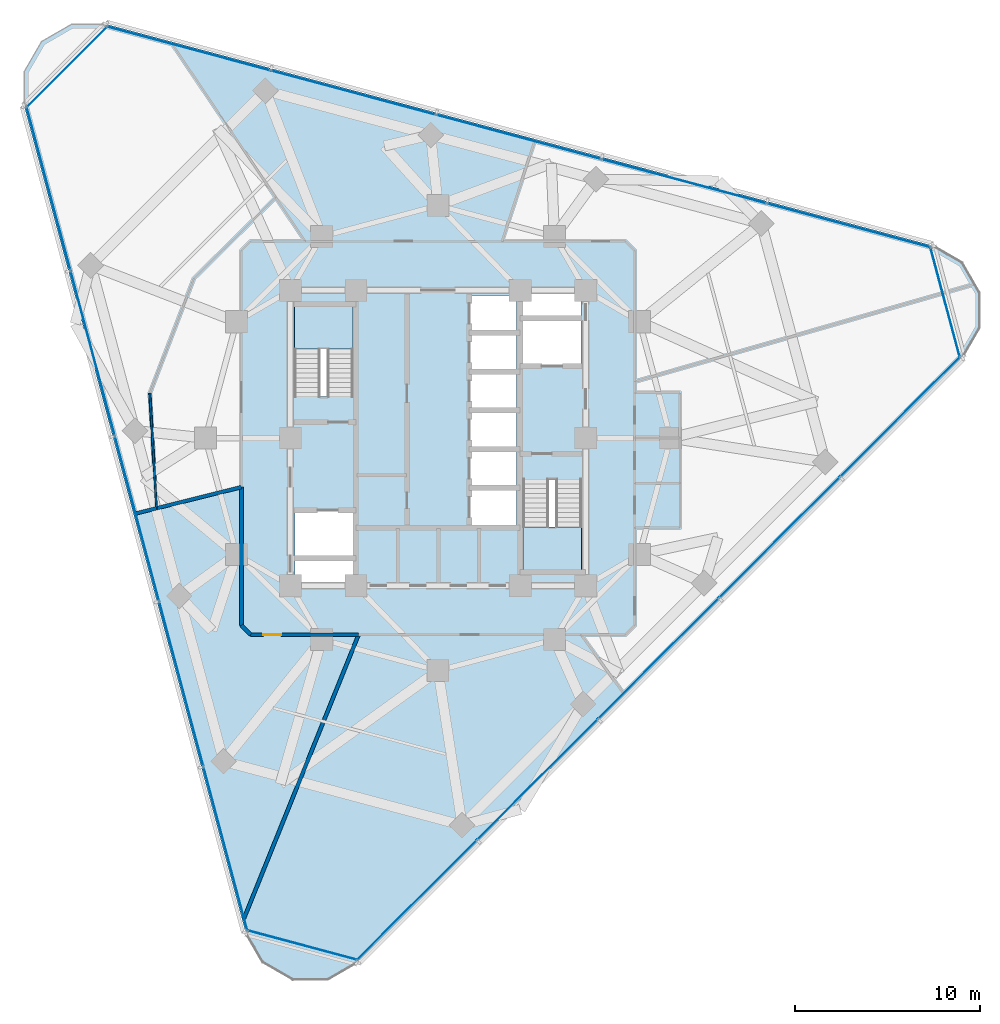
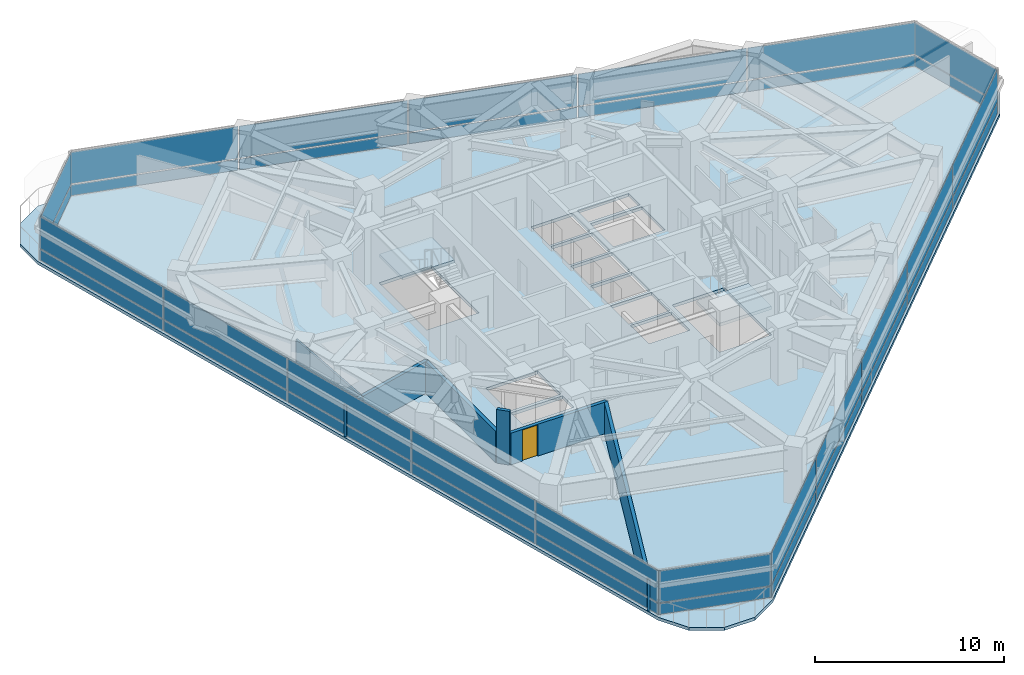
# One storey, part 7 of 15: 36 plates, 7 walls, 3 slabs, 1 door, 1 opening, 8 elements without a shape of their own.
"""IFC4 building model written with IfcOpenShell, lengths in metres."""

from ifc_helpers import new_model, si_unit, direction, frame, frame_2d, origin, origin_2d, place, context, subcontext, project, spatial, polyline, rectangle, outline, extrude, material, layer, layer_set, type_object, element, fill, aggregate, save


model = new_model("IFC4")

# Units and contexts
model_context = context("Model", 3, precision=1e-05, world=origin(), true_north=direction((0.0, 1.0)))
body_context = subcontext(model_context, "Body", "Model", "MODEL_VIEW")
ifc_project = project(units=[si_unit("LENGTHUNIT", "METRE"), si_unit("AREAUNIT", "SQUARE_METRE"), si_unit("VOLUMEUNIT", "CUBIC_METRE"), si_unit("PLANEANGLEUNIT", "RADIAN"), si_unit("MASSUNIT", "GRAM", prefix="KILO")], contexts=[model_context])

# Site, building, storey
site_placement = place(None, origin())
site = spatial("IfcSite", under=ifc_project, at=site_placement, CompositionType="ELEMENT")
building_placement = place(site_placement, origin())
building = spatial("IfcBuilding", under=site, at=building_placement, Name="Terralouvre Media Tower", CompositionType="ELEMENT")
storey_placement = place(building_placement, frame((0.0, 0.0, 210.10009765625)))
storey = spatial("IfcBuildingStorey", under=building, at=storey_placement, Name="L54", CompositionType="ELEMENT", Elevation=210.10009765625)

# Slab
ifc_material_1 = material(Name="Concrete C40/50", Category="concrete")
ifc_layer_1 = layer(ifc_material_1, 0.199951171875, Name="Composite Tower Floor Slab S-TYP200")
ifc_layer_set_1 = layer_set([ifc_layer_1], Name="Concrete C40/50")
slab_type_1 = type_object("IfcSlabType", Name="Composite Tower Floor Slab S-TYP200", PredefinedType="FLOOR", material=ifc_layer_set_1)
slab_1_placement = place(storey_placement, frame((0.0, 0.0, -0.2001953125), z_axis=(0.0, 0.0, 1.0), x_axis=(0.707106781187, 0.707106781187, 0.0)))
element("IfcSlab", 1, at=slab_1_placement, inside=storey, type_object=slab_type_1, Name="L54 Structural Floor Slab", PredefinedType="FLOOR", context=body_context, shape_type="SweptSolid", body=[
    extrude(outline(polyline([(-26.31494140625, -11.572998046875), (-26.800048828125, -13.383056640625), (-26.31494140625, -15.19287109375), (-24.989990234375, -16.51806640625), (-23.179931640625, -17.0029296875), (23.179931640625, -17.0029296875), (24.989990234375, -16.51806640625), (26.31494140625, -15.19287109375), (26.800048828125, -13.383056640625), (26.31494140625, -11.572998046875), (3.135009765625, 28.575927734375), (1.81005859375, 29.90087890625), (0.0, 30.385986328125), (-1.81005859375, 29.90087890625), (-3.135009765625, 28.575927734375), (-26.31494140625, -11.572998046875)]), holes=[polyline([(-7.919677734375, -1.414306640625), (-8.76806640625, -2.2626953125), (-10.99560546875, -0.035400390625), (-10.14697265625, 0.813232421875), (-7.919677734375, -1.414306640625)]), polyline([(-7.778076171875, -1.272705078125), (-10.005615234375, 0.95458984375), (-8.273193359375, 2.68701171875), (-6.045654296875, 0.459716796875), (-7.778076171875, -1.272705078125)]), polyline([(4.122314453125, -1.887939453125), (2.354736328125, -0.1201171875), (3.7265625, 1.25146484375), (5.494140625, -0.51611328125), (4.122314453125, -1.887939453125)]), polyline([(6.979248046875, 0.96875), (5.607421875, -0.403076171875), (3.839599609375, 1.36474609375), (5.21142578125, 2.736572265625), (6.979248046875, 0.96875)]), polyline([(-1.665283203125, 4.840087890625), (-3.913818359375, 7.0888671875), (-0.36767578125, 10.634765625), (1.880859375, 8.38623046875), (-1.665283203125, 4.840087890625)]), polyline([(7.09228515625, 1.081787109375), (5.324462890625, 2.849609375), (6.6962890625, 4.221435546875), (8.464111328125, 2.45361328125), (7.09228515625, 1.081787109375)]), polyline([(-1.880859375, -8.38623046875), (1.665283203125, -4.840087890625), (3.913818359375, -7.0888671875), (0.36767578125, -10.634765625), (-1.880859375, -8.38623046875)]), polyline([(-0.332275390625, -6.3427734375), (-2.10009765625, -4.574951171875), (-0.728271484375, -3.203125), (1.03955078125, -4.970947265625), (-0.332275390625, -6.3427734375)]), polyline([(1.152587890625, -4.85791015625), (-0.615234375, -3.090087890625), (0.756591796875, -1.71826171875), (2.5244140625, -3.486083984375), (1.152587890625, -4.85791015625)]), polyline([(4.00927734375, -2.001220703125), (2.637451171875, -3.372802734375), (0.86962890625, -1.605224609375), (2.241455078125, -0.2333984375), (4.00927734375, -2.001220703125)]), polyline([(8.273193359375, -2.68701171875), (6.045654296875, -0.459716796875), (7.778076171875, 1.272705078125), (10.005615234375, -0.95458984375), (8.273193359375, -2.68701171875)]), polyline([(10.14697265625, -0.813232421875), (7.919677734375, 1.414306640625), (8.76806640625, 2.2626953125), (10.99560546875, 0.035400390625), (10.14697265625, -0.813232421875)])]), origin(), (0.0, 0.0, 1.0), 0.2001953125),
])

# Stair, slab
ifc_material_2 = material(Name="Concrete C45/55", Category="concrete")
stair_type_1 = type_object("IfcStairType", Name="Dogleg Stair Assembly ST-01", PredefinedType="HALF_TURN_STAIR", material=ifc_material_2)
stair_1_placement = place(storey_placement, origin())
stair_1 = element("IfcStair", 2, at=stair_1_placement, inside=storey, type_object=stair_type_1, Name="L54 Core Pressurised Exit Stair ST-01", PredefinedType="HALF_TURN_STAIR")
ifc_material_3 = material(Name="Concrete C45/55", Category="concrete")
ifc_layer_2 = layer(ifc_material_3, 0.199951171875, Name="Reinforced Concrete Stair Half-Landing SL-LD1")
ifc_layer_set_2 = layer_set([ifc_layer_2], Name="Concrete C45/55")
slab_type_2 = type_object("IfcSlabType", Name="Reinforced Concrete Stair Half-Landing SL-LD1", PredefinedType="LANDING", material=ifc_layer_set_2)
slab_2_placement = place(storey_placement, frame((0.0, 0.0, 1.64990234375)))
slab_2 = element("IfcSlab", 3, at=slab_2_placement, type_object=slab_type_2, Name="ST-01 landing 1", PredefinedType="LANDING", context=body_context, shape_type="SweptSolid", body=[
    extrude(outline(polyline([(-4.60009765625, 4.820068359375), (-4.60009765625, 7.260009765625), (-7.780029296875, 7.260009765625), (-7.780029296875, 4.820068359375), (-4.60009765625, 4.820068359375)])), origin(), (0.0, 0.0, 1.0), 0.199951171875),
])
aggregate(stair_1, [slab_2])

ifc_material_4 = material(Name="Concrete C45/55", Category="concrete")
stair_type_2 = type_object("IfcStairType", Name="Dogleg Stair Assembly ST-02", PredefinedType="HALF_TURN_STAIR", material=ifc_material_4)
stair_2_placement = place(storey_placement, origin())
stair_2 = element("IfcStair", 4, at=stair_2_placement, inside=storey, type_object=stair_type_2, Name="L54 Core Pressurised Exit Stair ST-02", PredefinedType="HALF_TURN_STAIR")
slab_3_placement = place(storey_placement, frame((0.0, 0.0, 1.64990234375)))
slab_3 = element("IfcSlab", 5, at=slab_3_placement, type_object=slab_type_2, Name="ST-02 landing 1", PredefinedType="LANDING", context=body_context, shape_type="SweptSolid", body=[
    extrude(outline(polyline([(4.60009765625, -4.820068359375), (4.60009765625, -7.260009765625), (7.780029296875, -7.260009765625), (7.780029296875, -4.820068359375), (4.60009765625, -4.820068359375)])), origin(), (0.0, 0.0, 1.0), 0.199951171875),
])
aggregate(stair_2, [slab_3])

# Curtain wall, plates
ifc_material_5 = material(Name="Low-iron laminated double glazing with solar-control coating", Category="glass")
ifc_layer_3 = layer(ifc_material_5, 0.1650390625, Name="Rounded Wind-Corner Curved Glazing CW-04")
ifc_layer_set_3 = layer_set([ifc_layer_3], Name="Low-iron laminated double glazing with solar-control coating")
curtain_wall_type_1 = type_object("IfcCurtainWallType", Name="Rounded Wind-Corner Curved Glazing CW-04", PredefinedType="NOTDEFINED", material=ifc_layer_set_3)
curtain_wall_1_placement = place(storey_placement, origin())
curtain_wall_1 = element("IfcCurtainWall", 6, at=curtain_wall_1_placement, inside=storey, type_object=curtain_wall_type_1, Name="L54 Rounded Wind-Corner Curtain Wall C0", PredefinedType="NOTDEFINED")
ifc_material_6 = material(Name="Low-iron laminated double glazing with solar-control coating", Category="glass")
ifc_layer_4 = layer(ifc_material_6, 0.0400390625, Name="Rounded Corner Laminated Vision Panel CWP-03")
ifc_layer_set_4 = layer_set([ifc_layer_4], Name="Low-iron laminated double glazing with solar-control coating")
plate_type_1 = type_object("IfcPlateType", Name="Rounded Corner Laminated Vision Panel CWP-03", PredefinedType="CURTAIN_PANEL", material=ifc_layer_set_4)
plate_1_placement = place(storey_placement, frame((-7.35986328125, -27.467041015625, 0.074951171875), z_axis=(0.0, 0.0, 1.0), x_axis=(0.965925911218, -0.258818728144, 0.0)))
plate_1 = element("IfcPlate", 7, at=plate_1_placement, type_object=plate_type_1, Name="CW-04 panel 1.1", PredefinedType="CURTAIN_PANEL", context=body_context, shape_type="SweptSolid", body=[
    extrude(rectangle(XDim=6.1201171875, YDim=0.035888671875, at=origin_2d()), origin(), (0.0, 0.0, 1.0), 0.6875),
])
plate_2_placement = place(storey_placement, frame((-7.35986328125, -27.467041015625, 0.83740234375), z_axis=(0.0, 0.0, 1.0), x_axis=(0.965925911218, -0.258818728144, 0.0)))
plate_2 = element("IfcPlate", 8, at=plate_2_placement, type_object=plate_type_1, Name="CW-04 panel 1.2", PredefinedType="CURTAIN_PANEL", context=body_context, shape_type="SweptSolid", body=[
    extrude(rectangle(XDim=6.1201171875, YDim=0.035888671875, at=origin_2d()), origin(), (0.0, 0.0, 1.0), 2.047607421875),
])
aggregate(curtain_wall_1, [plate_1, plate_2])

curtain_wall_2_placement = place(storey_placement, origin())
curtain_wall_2 = element("IfcCurtainWall", 9, at=curtain_wall_2_placement, inside=storey, type_object=curtain_wall_type_1, Name="L54 Rounded Wind-Corner Curtain Wall C1", PredefinedType="NOTDEFINED")
plate_3_placement = place(storey_placement, frame((27.467041015625, 7.35986328125, 0.074951171875), z_axis=(0.0, 0.0, 1.0), x_axis=(-0.258818728144, 0.965925911218, 0.0)))
plate_3 = element("IfcPlate", 10, at=plate_3_placement, type_object=plate_type_1, Name="CW-04 panel 1.1", PredefinedType="CURTAIN_PANEL", context=body_context, shape_type="SweptSolid", body=[
    extrude(rectangle(XDim=6.1201171875, YDim=0.035888671875, at=origin_2d()), origin(), (0.0, 0.0, 1.0), 0.6875),
])
plate_4_placement = place(storey_placement, frame((27.467041015625, 7.35986328125, 0.83740234375), z_axis=(0.0, 0.0, 1.0), x_axis=(-0.258818728144, 0.965925911218, 0.0)))
plate_4 = element("IfcPlate", 11, at=plate_4_placement, type_object=plate_type_1, Name="CW-04 panel 1.2", PredefinedType="CURTAIN_PANEL", context=body_context, shape_type="SweptSolid", body=[
    extrude(rectangle(XDim=6.1201171875, YDim=0.035888671875, at=origin_2d()), origin(), (0.0, 0.0, 1.0), 2.047607421875),
])
aggregate(curtain_wall_2, [plate_3, plate_4])

curtain_wall_3_placement = place(storey_placement, origin())
curtain_wall_3 = element("IfcCurtainWall", 12, at=curtain_wall_3_placement, inside=storey, type_object=curtain_wall_type_1, Name="L54 Rounded Wind-Corner Curtain Wall C2", PredefinedType="NOTDEFINED")
plate_5_placement = place(storey_placement, frame((-20.107177734375, 20.107177734375, 0.074951171875), z_axis=(0.0, 0.0, 1.0), x_axis=(-0.707106781187, -0.707106781187, 0.0)))
plate_5 = element("IfcPlate", 13, at=plate_5_placement, type_object=plate_type_1, Name="CW-04 panel 1.1", PredefinedType="CURTAIN_PANEL", context=body_context, shape_type="SweptSolid", body=[
    extrude(rectangle(XDim=6.1201171875, YDim=0.035888671875, at=origin_2d()), origin(), (0.0, 0.0, 1.0), 0.6875),
])
plate_6_placement = place(storey_placement, frame((-20.107177734375, 20.107177734375, 0.83740234375), z_axis=(0.0, 0.0, 1.0), x_axis=(-0.707106781187, -0.707106781187, 0.0)))
plate_6 = element("IfcPlate", 14, at=plate_6_placement, type_object=plate_type_1, Name="CW-04 panel 1.2", PredefinedType="CURTAIN_PANEL", context=body_context, shape_type="SweptSolid", body=[
    extrude(rectangle(XDim=6.1201171875, YDim=0.035888671875, at=origin_2d()), origin(), (0.0, 0.0, 1.0), 2.047607421875),
])
aggregate(curtain_wall_3, [plate_5, plate_6])

ifc_material_7 = material(Name="Low-iron laminated double glazing with solar-control coating", Category="glass")
ifc_layer_5 = layer(ifc_material_7, 0.1650390625, Name="Production Studio Tower Curtain Wall CW-03")
ifc_layer_set_5 = layer_set([ifc_layer_5], Name="Low-iron laminated double glazing with solar-control coating")
curtain_wall_type_2 = type_object("IfcCurtainWallType", Name="Production Studio Tower Curtain Wall CW-03", PredefinedType="NOTDEFINED", material=ifc_layer_set_5)
curtain_wall_4_placement = place(storey_placement, origin())
curtain_wall_4 = element("IfcCurtainWall", 15, at=curtain_wall_4_placement, inside=storey, type_object=curtain_wall_type_2, Name="L54 Facade Curtain Wall F0", PredefinedType="NOTDEFINED")
ifc_material_8 = material(Name="Low-iron laminated double glazing with solar-control coating", Category="glass")
ifc_layer_6 = layer(ifc_material_8, 0.035888671875, Name="Vision Double-Glazed Unit CWP-01")
ifc_layer_set_6 = layer_set([ifc_layer_6], Name="Low-iron laminated double glazing with solar-control coating")
plate_type_2 = type_object("IfcPlateType", Name="Vision Double-Glazed Unit CWP-01", PredefinedType="CURTAIN_PANEL", material=ifc_layer_set_6)
plate_7_placement = place(storey_placement, frame((-1.161376953125, -25.037353515625, 0.074951171875), z_axis=(0.0, 0.0, 1.0), x_axis=(0.707106781187, 0.707106781187, 0.0)))
plate_7 = element("IfcPlate", 16, at=plate_7_placement, type_object=plate_type_2, Name="CW-03 panel 1.1", PredefinedType="CURTAIN_PANEL", context=body_context, shape_type="SweptSolid", body=[
    extrude(rectangle(XDim=9.159423828125, YDim=0.035888671875, at=origin_2d()), origin(), (0.0, 0.0, 1.0), 0.6875),
])
plate_8_placement = place(storey_placement, frame((-1.161376953125, -25.037353515625, 0.83740234375), z_axis=(0.0, 0.0, 1.0), x_axis=(0.707106781187, 0.707106781187, 0.0)))
plate_8 = element("IfcPlate", 17, at=plate_8_placement, type_object=plate_type_2, Name="CW-03 panel 1.2", PredefinedType="CURTAIN_PANEL", context=body_context, shape_type="SweptSolid", body=[
    extrude(rectangle(XDim=9.159423828125, YDim=0.035888671875, at=origin_2d()), origin(), (0.0, 0.0, 1.0), 2.047607421875),
])
plate_9_placement = place(storey_placement, frame((5.3818359375, -18.494384765625, 0.074951171875), z_axis=(0.0, 0.0, 1.0), x_axis=(0.707106781187, 0.707106781187, 0.0)))
plate_9 = element("IfcPlate", 18, at=plate_9_placement, type_object=plate_type_2, Name="CW-03 panel 2.1", PredefinedType="CURTAIN_PANEL", context=body_context, shape_type="SweptSolid", body=[
    extrude(rectangle(XDim=9.197021484375, YDim=0.035888671875, at=origin_2d()), origin(), (0.0, 0.0, 1.0), 0.6875),
])
plate_10_placement = place(storey_placement, frame((5.3818359375, -18.494384765625, 0.83740234375), z_axis=(0.0, 0.0, 1.0), x_axis=(0.707106781187, 0.707106781187, 0.0)))
plate_10 = element("IfcPlate", 19, at=plate_10_placement, type_object=plate_type_2, Name="CW-03 panel 2.2", PredefinedType="CURTAIN_PANEL", context=body_context, shape_type="SweptSolid", body=[
    extrude(rectangle(XDim=9.197021484375, YDim=0.035888671875, at=origin_2d()), origin(), (0.0, 0.0, 1.0), 2.047607421875),
])
plate_11_placement = place(storey_placement, frame((11.93798828125, -11.93798828125, 0.074951171875), z_axis=(0.0, 0.0, 1.0), x_axis=(0.707106781187, 0.707106781187, 0.0)))
plate_11 = element("IfcPlate", 20, at=plate_11_placement, type_object=plate_type_2, Name="CW-03 panel 3.1", PredefinedType="CURTAIN_PANEL", context=body_context, shape_type="SweptSolid", body=[
    extrude(rectangle(XDim=9.197021484375, YDim=0.035888671875, at=origin_2d()), origin(), (0.0, 0.0, 1.0), 0.6875),
])
plate_12_placement = place(storey_placement, frame((11.93798828125, -11.93798828125, 0.83740234375), z_axis=(0.0, 0.0, 1.0), x_axis=(0.707106781187, 0.707106781187, 0.0)))
plate_12 = element("IfcPlate", 21, at=plate_12_placement, type_object=plate_type_2, Name="CW-03 panel 3.2", PredefinedType="CURTAIN_PANEL", context=body_context, shape_type="SweptSolid", body=[
    extrude(rectangle(XDim=9.197021484375, YDim=0.035888671875, at=origin_2d()), origin(), (0.0, 0.0, 1.0), 2.047607421875),
])
plate_13_placement = place(storey_placement, frame((18.494384765625, -5.3818359375, 0.074951171875), z_axis=(0.0, 0.0, 1.0), x_axis=(0.707106781187, 0.707106781187, 0.0)))
plate_13 = element("IfcPlate", 22, at=plate_13_placement, type_object=plate_type_2, Name="CW-03 panel 4.1", PredefinedType="CURTAIN_PANEL", context=body_context, shape_type="SweptSolid", body=[
    extrude(rectangle(XDim=9.197021484375, YDim=0.035888671875, at=origin_2d()), origin(), (0.0, 0.0, 1.0), 0.6875),
])
plate_14_placement = place(storey_placement, frame((18.494384765625, -5.3818359375, 0.83740234375), z_axis=(0.0, 0.0, 1.0), x_axis=(0.707106781187, 0.707106781187, 0.0)))
plate_14 = element("IfcPlate", 23, at=plate_14_placement, type_object=plate_type_2, Name="CW-03 panel 4.2", PredefinedType="CURTAIN_PANEL", context=body_context, shape_type="SweptSolid", body=[
    extrude(rectangle(XDim=9.197021484375, YDim=0.035888671875, at=origin_2d()), origin(), (0.0, 0.0, 1.0), 2.047607421875),
])
plate_15_placement = place(storey_placement, frame((25.037353515625, 1.161376953125, 0.074951171875), z_axis=(0.0, 0.0, 1.0), x_axis=(0.707106781187, 0.707106781187, 0.0)))
plate_15 = element("IfcPlate", 24, at=plate_15_placement, type_object=plate_type_2, Name="CW-03 panel 5.1", PredefinedType="CURTAIN_PANEL", context=body_context, shape_type="SweptSolid", body=[
    extrude(rectangle(XDim=9.159423828125, YDim=0.035888671875, at=origin_2d()), origin(), (0.0, 0.0, 1.0), 0.6875),
])
plate_16_placement = place(storey_placement, frame((25.037353515625, 1.161376953125, 0.83740234375), z_axis=(0.0, 0.0, 1.0), x_axis=(0.707106781187, 0.707106781187, 0.0)))
plate_16 = element("IfcPlate", 25, at=plate_16_placement, type_object=plate_type_2, Name="CW-03 panel 5.2", PredefinedType="CURTAIN_PANEL", context=body_context, shape_type="SweptSolid", body=[
    extrude(rectangle(XDim=9.159423828125, YDim=0.035888671875, at=origin_2d()), origin(), (0.0, 0.0, 1.0), 2.047607421875),
])
aggregate(curtain_wall_4, [plate_7, plate_8, plate_9, plate_10, plate_11, plate_12, plate_13, plate_14, plate_15, plate_16])

curtain_wall_5_placement = place(storey_placement, origin())
curtain_wall_5 = element("IfcCurtainWall", 26, at=curtain_wall_5_placement, inside=storey, type_object=curtain_wall_type_2, Name="L54 Facade Curtain Wall F1", PredefinedType="NOTDEFINED")
plate_17_placement = place(storey_placement, frame((22.263671875, 11.512939453125, 0.074951171875), z_axis=(0.0, 0.0, 1.0), x_axis=(-0.96592582942, 0.25881903342, 0.0)))
plate_17 = element("IfcPlate", 27, at=plate_17_placement, type_object=plate_type_2, Name="CW-03 panel 1.1", PredefinedType="CURTAIN_PANEL", context=body_context, shape_type="SweptSolid", body=[
    extrude(rectangle(XDim=9.159423828125, YDim=0.035888671875, at=origin_2d()), origin(), (0.0, 0.0, 1.0), 0.6875),
])
plate_18_placement = place(storey_placement, frame((22.263671875, 11.512939453125, 0.83740234375), z_axis=(0.0, 0.0, 1.0), x_axis=(-0.96592582942, 0.25881903342, 0.0)))
plate_18 = element("IfcPlate", 28, at=plate_18_placement, type_object=plate_type_2, Name="CW-03 panel 1.2", PredefinedType="CURTAIN_PANEL", context=body_context, shape_type="SweptSolid", body=[
    extrude(rectangle(XDim=9.159423828125, YDim=0.035888671875, at=origin_2d()), origin(), (0.0, 0.0, 1.0), 2.047607421875),
])
plate_19_placement = place(storey_placement, frame((13.32568359375, 13.907958984375, 0.074951171875), z_axis=(0.0, 0.0, 1.0), x_axis=(-0.96592582942, 0.25881903342, 0.0)))
plate_19 = element("IfcPlate", 29, at=plate_19_placement, type_object=plate_type_2, Name="CW-03 panel 2.1", PredefinedType="CURTAIN_PANEL", context=body_context, shape_type="SweptSolid", body=[
    extrude(rectangle(XDim=9.197021484375, YDim=0.035888671875, at=origin_2d()), origin(), (0.0, 0.0, 1.0), 0.6875),
])
plate_20_placement = place(storey_placement, frame((13.32568359375, 13.907958984375, 0.83740234375), z_axis=(0.0, 0.0, 1.0), x_axis=(-0.96592582942, 0.25881903342, 0.0)))
plate_20 = element("IfcPlate", 30, at=plate_20_placement, type_object=plate_type_2, Name="CW-03 panel 2.2", PredefinedType="CURTAIN_PANEL", context=body_context, shape_type="SweptSolid", body=[
    extrude(rectangle(XDim=9.197021484375, YDim=0.035888671875, at=origin_2d()), origin(), (0.0, 0.0, 1.0), 2.047607421875),
])
plate_21_placement = place(storey_placement, frame((4.36962890625, 16.3076171875, 0.074951171875), z_axis=(0.0, 0.0, 1.0), x_axis=(-0.96592582942, 0.25881903342, 0.0)))
plate_21 = element("IfcPlate", 31, at=plate_21_placement, type_object=plate_type_2, Name="CW-03 panel 3.1", PredefinedType="CURTAIN_PANEL", context=body_context, shape_type="SweptSolid", body=[
    extrude(rectangle(XDim=9.197021484375, YDim=0.035888671875, at=origin_2d()), origin(), (0.0, 0.0, 1.0), 0.6875),
])
plate_22_placement = place(storey_placement, frame((4.36962890625, 16.3076171875, 0.83740234375), z_axis=(0.0, 0.0, 1.0), x_axis=(-0.96592582942, 0.25881903342, 0.0)))
plate_22 = element("IfcPlate", 32, at=plate_22_placement, type_object=plate_type_2, Name="CW-03 panel 3.2", PredefinedType="CURTAIN_PANEL", context=body_context, shape_type="SweptSolid", body=[
    extrude(rectangle(XDim=9.197021484375, YDim=0.035888671875, at=origin_2d()), origin(), (0.0, 0.0, 1.0), 2.047607421875),
])
plate_23_placement = place(storey_placement, frame((-4.58642578125, 18.70751953125, 0.074951171875), z_axis=(0.0, 0.0, 1.0), x_axis=(-0.96592582942, 0.25881903342, 0.0)))
plate_23 = element("IfcPlate", 33, at=plate_23_placement, type_object=plate_type_2, Name="CW-03 panel 4.1", PredefinedType="CURTAIN_PANEL", context=body_context, shape_type="SweptSolid", body=[
    extrude(rectangle(XDim=9.197021484375, YDim=0.035888671875, at=origin_2d()), origin(), (0.0, 0.0, 1.0), 0.6875),
])
plate_24_placement = place(storey_placement, frame((-4.58642578125, 18.70751953125, 0.83740234375), z_axis=(0.0, 0.0, 1.0), x_axis=(-0.96592582942, 0.25881903342, 0.0)))
plate_24 = element("IfcPlate", 34, at=plate_24_placement, type_object=plate_type_2, Name="CW-03 panel 4.2", PredefinedType="CURTAIN_PANEL", context=body_context, shape_type="SweptSolid", body=[
    extrude(rectangle(XDim=9.197021484375, YDim=0.035888671875, at=origin_2d()), origin(), (0.0, 0.0, 1.0), 2.047607421875),
])
plate_25_placement = place(storey_placement, frame((-13.5244140625, 21.102294921875, 0.074951171875), z_axis=(0.0, 0.0, 1.0), x_axis=(-0.96592582942, 0.25881903342, 0.0)))
plate_25 = element("IfcPlate", 35, at=plate_25_placement, type_object=plate_type_2, Name="CW-03 panel 5.1", PredefinedType="CURTAIN_PANEL", context=body_context, shape_type="SweptSolid", body=[
    extrude(rectangle(XDim=9.159423828125, YDim=0.035888671875, at=origin_2d()), origin(), (0.0, 0.0, 1.0), 0.6875),
])
plate_26_placement = place(storey_placement, frame((-13.5244140625, 21.102294921875, 0.83740234375), z_axis=(0.0, 0.0, 1.0), x_axis=(-0.96592582942, 0.25881903342, 0.0)))
plate_26 = element("IfcPlate", 36, at=plate_26_placement, type_object=plate_type_2, Name="CW-03 panel 5.2", PredefinedType="CURTAIN_PANEL", context=body_context, shape_type="SweptSolid", body=[
    extrude(rectangle(XDim=9.159423828125, YDim=0.035888671875, at=origin_2d()), origin(), (0.0, 0.0, 1.0), 2.047607421875),
])
aggregate(curtain_wall_5, [plate_17, plate_18, plate_19, plate_20, plate_21, plate_22, plate_23, plate_24, plate_25, plate_26])

curtain_wall_6_placement = place(storey_placement, origin())
curtain_wall_6 = element("IfcCurtainWall", 37, at=curtain_wall_6_placement, inside=storey, type_object=curtain_wall_type_2, Name="L54 Facade Curtain Wall F2", PredefinedType="NOTDEFINED")
plate_27_placement = place(storey_placement, frame((-21.102294921875, 13.5244140625, 0.074951171875), z_axis=(0.0, 0.0, 1.0), x_axis=(0.25881903342, -0.96592582942, 0.0)))
plate_27 = element("IfcPlate", 38, at=plate_27_placement, type_object=plate_type_2, Name="CW-03 panel 1.1", PredefinedType="CURTAIN_PANEL", context=body_context, shape_type="SweptSolid", body=[
    extrude(rectangle(XDim=9.159423828125, YDim=0.035888671875, at=origin_2d()), origin(), (0.0, 0.0, 1.0), 0.6875),
])
plate_28_placement = place(storey_placement, frame((-21.102294921875, 13.5244140625, 0.83740234375), z_axis=(0.0, 0.0, 1.0), x_axis=(0.25881903342, -0.96592582942, 0.0)))
plate_28 = element("IfcPlate", 39, at=plate_28_placement, type_object=plate_type_2, Name="CW-03 panel 1.2", PredefinedType="CURTAIN_PANEL", context=body_context, shape_type="SweptSolid", body=[
    extrude(rectangle(XDim=9.159423828125, YDim=0.035888671875, at=origin_2d()), origin(), (0.0, 0.0, 1.0), 2.047607421875),
])
plate_29_placement = place(storey_placement, frame((-18.70751953125, 4.58642578125, 0.074951171875), z_axis=(0.0, 0.0, 1.0), x_axis=(0.25881903342, -0.96592582942, 0.0)))
plate_29 = element("IfcPlate", 40, at=plate_29_placement, type_object=plate_type_2, Name="CW-03 panel 2.1", PredefinedType="CURTAIN_PANEL", context=body_context, shape_type="SweptSolid", body=[
    extrude(rectangle(XDim=9.197021484375, YDim=0.035888671875, at=origin_2d()), origin(), (0.0, 0.0, 1.0), 0.6875),
])
plate_30_placement = place(storey_placement, frame((-18.70751953125, 4.58642578125, 0.83740234375), z_axis=(0.0, 0.0, 1.0), x_axis=(0.25881903342, -0.96592582942, 0.0)))
plate_30 = element("IfcPlate", 41, at=plate_30_placement, type_object=plate_type_2, Name="CW-03 panel 2.2", PredefinedType="CURTAIN_PANEL", context=body_context, shape_type="SweptSolid", body=[
    extrude(rectangle(XDim=9.197021484375, YDim=0.035888671875, at=origin_2d()), origin(), (0.0, 0.0, 1.0), 2.047607421875),
])
plate_31_placement = place(storey_placement, frame((-16.3076171875, -4.36962890625, 0.074951171875), z_axis=(0.0, 0.0, 1.0), x_axis=(0.25881903342, -0.96592582942, 0.0)))
plate_31 = element("IfcPlate", 42, at=plate_31_placement, type_object=plate_type_2, Name="CW-03 panel 3.1", PredefinedType="CURTAIN_PANEL", context=body_context, shape_type="SweptSolid", body=[
    extrude(rectangle(XDim=9.197021484375, YDim=0.035888671875, at=origin_2d()), origin(), (0.0, 0.0, 1.0), 0.6875),
])
plate_32_placement = place(storey_placement, frame((-16.3076171875, -4.36962890625, 0.83740234375), z_axis=(0.0, 0.0, 1.0), x_axis=(0.25881903342, -0.96592582942, 0.0)))
plate_32 = element("IfcPlate", 43, at=plate_32_placement, type_object=plate_type_2, Name="CW-03 panel 3.2", PredefinedType="CURTAIN_PANEL", context=body_context, shape_type="SweptSolid", body=[
    extrude(rectangle(XDim=9.197021484375, YDim=0.035888671875, at=origin_2d()), origin(), (0.0, 0.0, 1.0), 2.047607421875),
])
plate_33_placement = place(storey_placement, frame((-13.907958984375, -13.32568359375, 0.074951171875), z_axis=(0.0, 0.0, 1.0), x_axis=(0.25881903342, -0.96592582942, 0.0)))
plate_33 = element("IfcPlate", 44, at=plate_33_placement, type_object=plate_type_2, Name="CW-03 panel 4.1", PredefinedType="CURTAIN_PANEL", context=body_context, shape_type="SweptSolid", body=[
    extrude(rectangle(XDim=9.197021484375, YDim=0.035888671875, at=origin_2d()), origin(), (0.0, 0.0, 1.0), 0.6875),
])
plate_34_placement = place(storey_placement, frame((-13.907958984375, -13.32568359375, 0.83740234375), z_axis=(0.0, 0.0, 1.0), x_axis=(0.25881903342, -0.96592582942, 0.0)))
plate_34 = element("IfcPlate", 45, at=plate_34_placement, type_object=plate_type_2, Name="CW-03 panel 4.2", PredefinedType="CURTAIN_PANEL", context=body_context, shape_type="SweptSolid", body=[
    extrude(rectangle(XDim=9.197021484375, YDim=0.035888671875, at=origin_2d()), origin(), (0.0, 0.0, 1.0), 2.047607421875),
])
plate_35_placement = place(storey_placement, frame((-11.512939453125, -22.263671875, 0.074951171875), z_axis=(0.0, 0.0, 1.0), x_axis=(0.25881903342, -0.96592582942, 0.0)))
plate_35 = element("IfcPlate", 46, at=plate_35_placement, type_object=plate_type_2, Name="CW-03 panel 5.1", PredefinedType="CURTAIN_PANEL", context=body_context, shape_type="SweptSolid", body=[
    extrude(rectangle(XDim=9.159423828125, YDim=0.035888671875, at=origin_2d()), origin(), (0.0, 0.0, 1.0), 0.6875),
])
plate_36_placement = place(storey_placement, frame((-11.512939453125, -22.263671875, 0.83740234375), z_axis=(0.0, 0.0, 1.0), x_axis=(0.25881903342, -0.96592582942, 0.0)))
plate_36 = element("IfcPlate", 47, at=plate_36_placement, type_object=plate_type_2, Name="CW-03 panel 5.2", PredefinedType="CURTAIN_PANEL", context=body_context, shape_type="SweptSolid", body=[
    extrude(rectangle(XDim=9.159423828125, YDim=0.035888671875, at=origin_2d()), origin(), (0.0, 0.0, 1.0), 2.047607421875),
])
aggregate(curtain_wall_6, [plate_27, plate_28, plate_29, plate_30, plate_31, plate_32, plate_33, plate_34, plate_35, plate_36])

# Walls
ifc_material_9 = material(Name="Low-iron laminated double glazing with solar-control coating", Category="glass")
ifc_layer_7 = layer(ifc_material_9, 0.10009765625, Name="Demountable Glazed Office Partition PT-GL100")
ifc_layer_set_7 = layer_set([ifc_layer_7], Name="Low-iron laminated double glazing with solar-control coating")
wall_type_1 = type_object("IfcWallType", Name="Demountable Glazed Office Partition PT-GL100", PredefinedType="MOVABLE", material=ifc_layer_set_7)
wall_1_placement = place(storey_placement, frame((-15.25, -3.802001953125, 0.0), z_axis=(0.0, 0.0, 1.0), x_axis=(-0.058192086898, 0.998305404685, 0.0)))
element("IfcWall", 48, at=wall_1_placement, inside=storey, type_object=wall_type_1, Name="L54 Interior Partition 034", PredefinedType="MOVABLE", context=body_context, shape_type="SweptSolid", body=[
    extrude(rectangle(XDim=6.238525390625, YDim=0.10009765625, at=frame_2d((3.119140625, 0.0))), origin(), (0.0, 0.0, 1.0), 2.044921875),
])
ifc_material_10 = material(Name="Fire-rated gypsum board drywall partition")
ifc_layer_8 = layer(ifc_material_10, 0.199951171875, Name="Fire-Rated Shaft and Lobby Partition FW-200")
ifc_layer_set_8 = layer_set([ifc_layer_8], Name="Fire-rated gypsum board drywall partition")
wall_type_2 = type_object("IfcWallType", Name="Fire-Rated Shaft and Lobby Partition FW-200", PredefinedType="SOLIDWALL", material=ifc_layer_set_8)
wall_2_placement = place(storey_placement, frame((-10.64990234375, -2.655029296875, 0.0), z_axis=(0.0, 0.0, 1.0), x_axis=(0.0, -1.0, 0.0)))
element("IfcWall", 49, at=wall_2_placement, inside=storey, type_object=wall_type_2, Name="L54 Interior Partition 001", PredefinedType="SOLIDWALL", context=body_context, shape_type="SweptSolid", body=[
    extrude(rectangle(XDim=7.494873046875, YDim=0.199951171875, at=frame_2d((3.74755859375, 0.0))), origin(), (0.0, 0.0, 1.0), 2.044921875),
])
wall_3_placement = place(storey_placement, frame((-10.64990234375, -10.14990234375, 0.0), z_axis=(0.0, 0.0, 1.0), x_axis=(0.707106781187, -0.707106781187, 0.0)))
element("IfcWall", 50, at=wall_3_placement, inside=storey, type_object=wall_type_2, Name="L54 Interior Partition 002", PredefinedType="SOLIDWALL", context=body_context, shape_type="SweptSolid", body=[
    extrude(rectangle(XDim=0.70703125, YDim=0.199951171875, at=frame_2d((0.353515625, 0.0))), origin(), (0.0, 0.0, 1.0), 3.4599609375),
])

# Wall, opening, door
wall_4_placement = place(storey_placement, frame((-10.14990234375, -10.64990234375, 0.0), z_axis=(0.0, 0.0, 1.0), x_axis=(1.0, 0.0, 0.0)))
wall_4 = element("IfcWall", 51, at=wall_4_placement, inside=storey, type_object=wall_type_2, Name="L54 Interior Partition 003", PredefinedType="SOLIDWALL", context=body_context, shape_type="SweptSolid", body=[
    extrude(rectangle(XDim=5.846923828125, YDim=0.199951171875, at=frame_2d((2.92333984375, 0.0))), origin(), (0.0, 0.0, 1.0), 2.044921875),
])
opening_placement = place(wall_4_placement, frame((0.6943359375, 0.0, 0.0)))
opening = element("IfcOpeningElement", 52, at=opening_placement, cuts=wall_4, Name="Opening FD-02", PredefinedType="OPENING", context=body_context, shape_type="SweptSolid", body=[
    extrude(rectangle(XDim=0.949951171875, YDim=2.0, at=frame_2d((0.47509765625, 1.0))), frame((0.0, 0.10986328125, 0.0), z_axis=(0.0, -1.0, 0.0), x_axis=(1.0, 0.0, 0.0)), (0.0, 0.0, 1.0), 0.219970703125),
])
ifc_material_11 = material(Name="Galvanised steel fire-resisting leaf", Category="steel")
door_type = type_object("IfcDoorType", Name="Plant and Riser Fire Door FD-02", OperationType="NOTDEFINED", PredefinedType="DOOR", material=ifc_material_11)
door_placement = place(opening_placement, origin())
door = element("IfcDoor", 53, at=door_placement, inside=storey, type_object=door_type, Name="L54 Sky Telemetry Server Room 1 Door", OperationType="SINGLE_SWING_RIGHT", OverallHeight=2.0, OverallWidth=0.949951171875, PredefinedType="DOOR", context=body_context, shape_type="SweptSolid", body=[
    extrude(rectangle(XDim=0.949951171875, YDim=2.0, at=frame_2d((0.47509765625, 1.0))), frame((0.0, 0.02490234375, 0.0), z_axis=(0.0, -1.0, 0.0), x_axis=(1.0, 0.0, 0.0)), (0.0, 0.0, 1.0), 0.050048828125),
])
fill(opening, door)

# Walls
wall_5_placement = place(storey_placement, frame((-10.53369140625, -26.072509765625, 0.0), z_axis=(0.0, 0.0, 1.0), x_axis=(0.374584629334, 0.927192728329, 0.0)))
element("IfcWall", 54, at=wall_5_placement, inside=storey, type_object=wall_type_2, Name="L54 Interior Partition 019", PredefinedType="SOLIDWALL", context=body_context, shape_type="SweptSolid", body=[
    extrude(rectangle(XDim=16.633544921875, YDim=0.199951171875, at=frame_2d((8.31689453125, 0.0))), origin(), (0.0, 0.0, 1.0), 2.044921875),
])
wall_6_placement = place(storey_placement, frame((-15.25, -3.802001953125, 0.0), z_axis=(0.0, 0.0, 1.0), x_axis=(-0.970237467776, -0.24215543794, 0.0)))
element("IfcWall", 55, at=wall_6_placement, inside=storey, type_object=wall_type_2, Name="L54 Interior Partition 020", PredefinedType="SOLIDWALL", context=body_context, shape_type="SweptSolid", body=[
    extrude(rectangle(XDim=1.208740234375, YDim=0.199951171875, at=frame_2d((0.6044921875, 0.0))), origin(), (0.0, 0.0, 1.0), 2.044921875),
])
wall_7_placement = place(storey_placement, frame((-10.64990234375, -2.655029296875, 0.0), z_axis=(0.0, 0.0, 1.0), x_axis=(-0.970293770758, -0.241929738617, 0.0)))
element("IfcWall", 56, at=wall_7_placement, inside=storey, type_object=wall_type_2, Name="L54 Interior Partition 021", PredefinedType="SOLIDWALL", context=body_context, shape_type="SweptSolid", body=[
    extrude(rectangle(XDim=4.740966796875, YDim=0.199951171875, at=frame_2d((2.37060546875, 0.0))), origin(), (0.0, 0.0, 1.0), 2.044921875),
])

save(model, "model.ifc")
